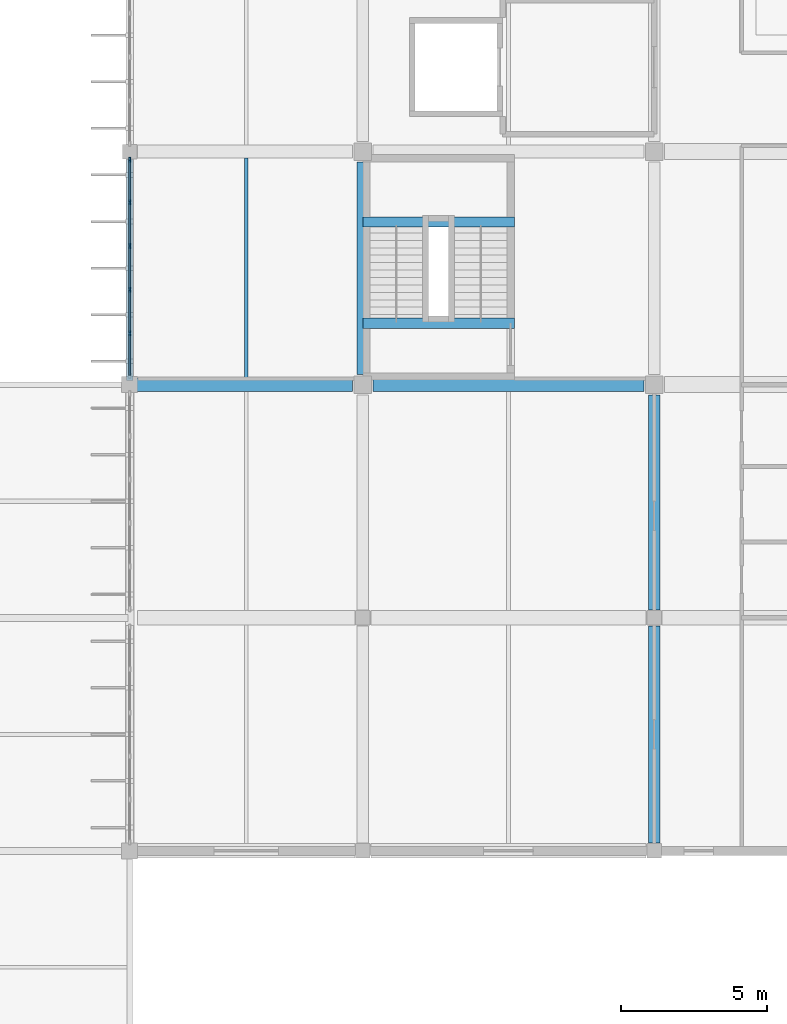
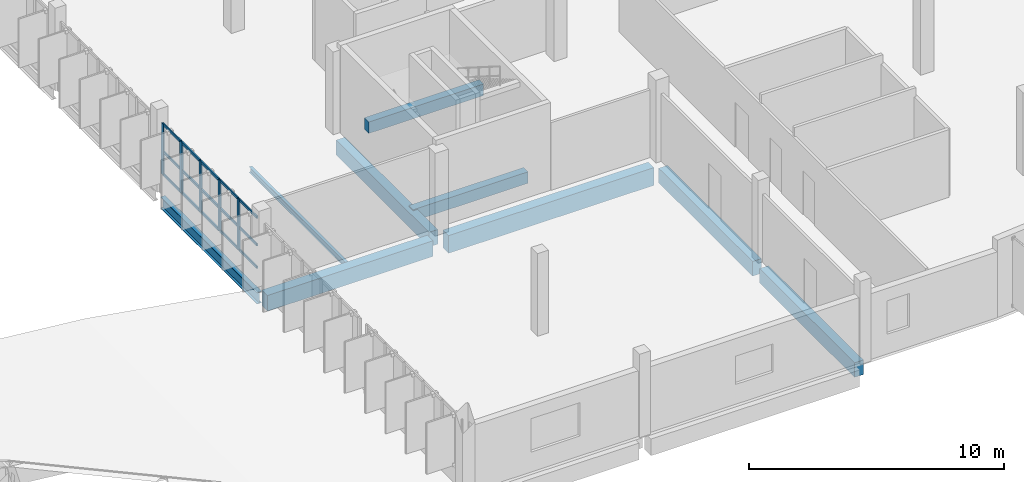
# One storey, part 27 of 66: 20 members, 9 beams, 1 element without a shape of its own.
"""IFC4 building model written with IfcOpenShell, lengths in metres."""

from ifc_helpers import new_model, si_unit, direction, frame, origin, origin_2d, place, context, subcontext, project, spatial, rectangle, i_section, extrude, material, layer, layer_set, material_profile, profile_set, type_object, element, aggregate, save


model = new_model("IFC4")

# Units and contexts
model_context = context("Model", 3, precision=1e-05, world=origin(), true_north=direction((0.0, 1.0)))
body_context = subcontext(model_context, "Body", "Model", "MODEL_VIEW")
ifc_project = project(units=[si_unit("LENGTHUNIT", "METRE"), si_unit("AREAUNIT", "SQUARE_METRE"), si_unit("VOLUMEUNIT", "CUBIC_METRE"), si_unit("PLANEANGLEUNIT", "RADIAN"), si_unit("MASSUNIT", "GRAM", prefix="KILO")], contexts=[model_context])

# Site, building, storey
site_placement = place(None, origin())
site = spatial("IfcSite", under=ifc_project, at=site_placement, CompositionType="ELEMENT")
building_placement = place(site_placement, origin())
building = spatial("IfcBuilding", under=site, at=building_placement, Name="Drelvana Railside Aquatics Centre", CompositionType="ELEMENT")
storey_placement = place(building_placement, frame((0.0, 0.0, 10.199951171875)))
storey = spatial("IfcBuildingStorey", under=building, at=storey_placement, Name="L02", CompositionType="ELEMENT", Elevation=10.199951171875)

# Curtain wall, members
ifc_material_1 = material(Name="Bronze-anodised aluminium curtain wall", Category="aluminium")
ifc_layer = layer(ifc_material_1, 0.175048828125, Name="Bronze-anodised aluminium curtain wall")
ifc_layer_set = layer_set([ifc_layer], Name="Bronze-anodised aluminium curtain wall")
curtain_wall_type = type_object("IfcCurtainWallType", Name="CW-Z6-WING", PredefinedType="NOTDEFINED", material=ifc_layer_set)
curtain_wall_placement = place(storey_placement, origin())
curtain_wall = element("IfcCurtainWall", 1, at=curtain_wall_placement, inside=storey, type_object=curtain_wall_type, Name="Curtain wall CW-06-138", PredefinedType="NOTDEFINED")
ifc_material_2 = material(Name="Bronze-anodised aluminium 6063-T6", Category="aluminium")
ifc_material_profile_1 = material_profile(ifc_material_2, rectangle(XDim=0.06494140625, YDim=0.175048828125, at=origin_2d()), Name="ALU-M 65x175")
ifc_profile_set_1 = profile_set([ifc_material_profile_1], Name="Bronze-anodised aluminium 6063-T6")
member_type_1 = type_object("IfcMemberType", Name="CW-Z6-WING-MUL", PredefinedType="MULLION", material=ifc_profile_set_1)
member_1_placement = place(storey_placement, frame((144.0, 25.766357421875, 0.7939453125), z_axis=(0.0, 0.0, 1.0), x_axis=(-1.0, 0.0, 0.0)))
member_1 = element("IfcMember", 2, at=member_1_placement, type_object=member_type_1, Name="CW-06 mullion 2", PredefinedType="MULLION", context=body_context, shape_type="SweptSolid", body=[
    extrude(rectangle(XDim=0.06494140625, YDim=0.175048828125, at=origin_2d()), origin(), (0.0, 0.0, 1.0), 2.4560546875),
])
member_2_placement = place(storey_placement, frame((144.0, 27.263916015625, 0.7939453125), z_axis=(0.0, 0.0, 1.0), x_axis=(-1.0, 0.0, 0.0)))
member_2 = element("IfcMember", 3, at=member_2_placement, type_object=member_type_1, Name="CW-06 mullion 3", PredefinedType="MULLION", context=body_context, shape_type="SweptSolid", body=[
    extrude(rectangle(XDim=0.06494140625, YDim=0.175048828125, at=origin_2d()), origin(), (0.0, 0.0, 1.0), 2.4560546875),
])
member_3_placement = place(storey_placement, frame((144.0, 28.76123046875, 0.7939453125), z_axis=(0.0, 0.0, 1.0), x_axis=(-1.0, 0.0, 0.0)))
member_3 = element("IfcMember", 4, at=member_3_placement, type_object=member_type_1, Name="CW-06 mullion 4", PredefinedType="MULLION", context=body_context, shape_type="SweptSolid", body=[
    extrude(rectangle(XDim=0.06494140625, YDim=0.175048828125, at=origin_2d()), origin(), (0.0, 0.0, 1.0), 2.4560546875),
])
member_4_placement = place(storey_placement, frame((144.0, 30.258544921875, 0.7939453125), z_axis=(0.0, 0.0, 1.0), x_axis=(-1.0, 0.0, 0.0)))
member_4 = element("IfcMember", 5, at=member_4_placement, type_object=member_type_1, Name="CW-06 mullion 5", PredefinedType="MULLION", context=body_context, shape_type="SweptSolid", body=[
    extrude(rectangle(XDim=0.06494140625, YDim=0.175048828125, at=origin_2d()), origin(), (0.0, 0.0, 1.0), 2.4560546875),
])
member_5_placement = place(storey_placement, frame((144.0, 31.723388671875, 0.7939453125), z_axis=(0.0, 0.0, 1.0), x_axis=(-1.0, 0.0, 0.0)))
member_5 = element("IfcMember", 6, at=member_5_placement, type_object=member_type_1, Name="CW-06 mullion 6", PredefinedType="MULLION", context=body_context, shape_type="SweptSolid", body=[
    extrude(rectangle(XDim=0.06494140625, YDim=0.175048828125, at=origin_2d()), origin(), (0.0, 0.0, 1.0), 2.4560546875),
])
ifc_material_profile_2 = material_profile(ifc_material_2, rectangle(XDim=0.1201171875, YDim=0.06005859375, at=origin_2d()), Name="ALU-T 60x120")
ifc_profile_set_2 = profile_set([ifc_material_profile_2], Name="Bronze-anodised aluminium 6063-T6")
member_type_2 = type_object("IfcMemberType", Name="CW-Z6-WING-TRN", PredefinedType="USERDEFINED", material=ifc_profile_set_2)
member_6_placement = place(storey_placement, frame((144.0, 24.3291015625, 0.823974609375), z_axis=(0.0, 1.0, 0.0), x_axis=(0.0, 0.0, 1.0)))
member_6 = element("IfcMember", 7, at=member_6_placement, type_object=member_type_2, Name="CW-06 transom 1.1", ObjectType="TRANSOM", PredefinedType="USERDEFINED", context=body_context, shape_type="SweptSolid", body=[
    extrude(rectangle(XDim=0.1201171875, YDim=0.06005859375, at=origin_2d()), origin(), (0.0, 0.0, 1.0), 1.409912109375),
])
member_7_placement = place(storey_placement, frame((144.0, 24.3291015625, 1.899169921875), z_axis=(0.0, 1.0, 0.0), x_axis=(0.0, 0.0, 1.0)))
member_7 = element("IfcMember", 8, at=member_7_placement, type_object=member_type_2, Name="CW-06 transom 1.2", ObjectType="TRANSOM", PredefinedType="USERDEFINED", context=body_context, shape_type="SweptSolid", body=[
    extrude(rectangle(XDim=0.1201171875, YDim=0.06005859375, at=origin_2d()), origin(), (0.0, 0.0, 1.0), 1.409912109375),
])
member_8_placement = place(storey_placement, frame((144.0, 24.3291015625, 3.219970703125), z_axis=(0.0, 1.0, 0.0), x_axis=(0.0, 0.0, 1.0)))
member_8 = element("IfcMember", 9, at=member_8_placement, type_object=member_type_2, Name="CW-06 transom 1.3", ObjectType="TRANSOM", PredefinedType="USERDEFINED", context=body_context, shape_type="SweptSolid", body=[
    extrude(rectangle(XDim=0.1201171875, YDim=0.06005859375, at=origin_2d()), origin(), (0.0, 0.0, 1.0), 1.409912109375),
])
member_9_placement = place(storey_placement, frame((144.0, 25.7939453125, 0.823974609375), z_axis=(0.0, 1.0, 0.0), x_axis=(0.0, 0.0, 1.0)))
member_9 = element("IfcMember", 10, at=member_9_placement, type_object=member_type_2, Name="CW-06 transom 2.1", ObjectType="TRANSOM", PredefinedType="USERDEFINED", context=body_context, shape_type="SweptSolid", body=[
    extrude(rectangle(XDim=0.1201171875, YDim=0.06005859375, at=origin_2d()), origin(), (0.0, 0.0, 1.0), 1.4423828125),
])
member_10_placement = place(storey_placement, frame((144.0, 25.7939453125, 1.899169921875), z_axis=(0.0, 1.0, 0.0), x_axis=(0.0, 0.0, 1.0)))
member_10 = element("IfcMember", 11, at=member_10_placement, type_object=member_type_2, Name="CW-06 transom 2.2", ObjectType="TRANSOM", PredefinedType="USERDEFINED", context=body_context, shape_type="SweptSolid", body=[
    extrude(rectangle(XDim=0.1201171875, YDim=0.06005859375, at=origin_2d()), origin(), (0.0, 0.0, 1.0), 1.4423828125),
])
member_11_placement = place(storey_placement, frame((144.0, 25.7939453125, 3.219970703125), z_axis=(0.0, 1.0, 0.0), x_axis=(0.0, 0.0, 1.0)))
member_11 = element("IfcMember", 12, at=member_11_placement, type_object=member_type_2, Name="CW-06 transom 2.3", ObjectType="TRANSOM", PredefinedType="USERDEFINED", context=body_context, shape_type="SweptSolid", body=[
    extrude(rectangle(XDim=0.1201171875, YDim=0.06005859375, at=origin_2d()), origin(), (0.0, 0.0, 1.0), 1.4423828125),
])
member_12_placement = place(storey_placement, frame((144.0, 27.291259765625, 0.823974609375), z_axis=(0.0, 1.0, 0.0), x_axis=(0.0, 0.0, 1.0)))
member_12 = element("IfcMember", 13, at=member_12_placement, type_object=member_type_2, Name="CW-06 transom 3.1", ObjectType="TRANSOM", PredefinedType="USERDEFINED", context=body_context, shape_type="SweptSolid", body=[
    extrude(rectangle(XDim=0.1201171875, YDim=0.06005859375, at=origin_2d()), origin(), (0.0, 0.0, 1.0), 1.4423828125),
])
member_13_placement = place(storey_placement, frame((144.0, 27.291259765625, 1.899169921875), z_axis=(0.0, 1.0, 0.0), x_axis=(0.0, 0.0, 1.0)))
member_13 = element("IfcMember", 14, at=member_13_placement, type_object=member_type_2, Name="CW-06 transom 3.2", ObjectType="TRANSOM", PredefinedType="USERDEFINED", context=body_context, shape_type="SweptSolid", body=[
    extrude(rectangle(XDim=0.1201171875, YDim=0.06005859375, at=origin_2d()), origin(), (0.0, 0.0, 1.0), 1.4423828125),
])
member_14_placement = place(storey_placement, frame((144.0, 27.291259765625, 3.219970703125), z_axis=(0.0, 1.0, 0.0), x_axis=(0.0, 0.0, 1.0)))
member_14 = element("IfcMember", 15, at=member_14_placement, type_object=member_type_2, Name="CW-06 transom 3.3", ObjectType="TRANSOM", PredefinedType="USERDEFINED", context=body_context, shape_type="SweptSolid", body=[
    extrude(rectangle(XDim=0.1201171875, YDim=0.06005859375, at=origin_2d()), origin(), (0.0, 0.0, 1.0), 1.4423828125),
])
member_15_placement = place(storey_placement, frame((144.0, 28.788818359375, 0.823974609375), z_axis=(0.0, 1.0, 0.0), x_axis=(0.0, 0.0, 1.0)))
member_15 = element("IfcMember", 16, at=member_15_placement, type_object=member_type_2, Name="CW-06 transom 4.1", ObjectType="TRANSOM", PredefinedType="USERDEFINED", context=body_context, shape_type="SweptSolid", body=[
    extrude(rectangle(XDim=0.1201171875, YDim=0.06005859375, at=origin_2d()), origin(), (0.0, 0.0, 1.0), 1.4423828125),
])
member_16_placement = place(storey_placement, frame((144.0, 28.788818359375, 1.899169921875), z_axis=(0.0, 1.0, 0.0), x_axis=(0.0, 0.0, 1.0)))
member_16 = element("IfcMember", 17, at=member_16_placement, type_object=member_type_2, Name="CW-06 transom 4.2", ObjectType="TRANSOM", PredefinedType="USERDEFINED", context=body_context, shape_type="SweptSolid", body=[
    extrude(rectangle(XDim=0.1201171875, YDim=0.06005859375, at=origin_2d()), origin(), (0.0, 0.0, 1.0), 1.4423828125),
])
member_17_placement = place(storey_placement, frame((144.0, 28.788818359375, 3.219970703125), z_axis=(0.0, 1.0, 0.0), x_axis=(0.0, 0.0, 1.0)))
member_17 = element("IfcMember", 18, at=member_17_placement, type_object=member_type_2, Name="CW-06 transom 4.3", ObjectType="TRANSOM", PredefinedType="USERDEFINED", context=body_context, shape_type="SweptSolid", body=[
    extrude(rectangle(XDim=0.1201171875, YDim=0.06005859375, at=origin_2d()), origin(), (0.0, 0.0, 1.0), 1.4423828125),
])
member_18_placement = place(storey_placement, frame((144.0, 30.2861328125, 0.823974609375), z_axis=(0.0, 1.0, 0.0), x_axis=(0.0, 0.0, 1.0)))
member_18 = element("IfcMember", 19, at=member_18_placement, type_object=member_type_2, Name="CW-06 transom 5.1", ObjectType="TRANSOM", PredefinedType="USERDEFINED", context=body_context, shape_type="SweptSolid", body=[
    extrude(rectangle(XDim=0.1201171875, YDim=0.06005859375, at=origin_2d()), origin(), (0.0, 0.0, 1.0), 1.409912109375),
])
member_19_placement = place(storey_placement, frame((144.0, 30.2861328125, 1.899169921875), z_axis=(0.0, 1.0, 0.0), x_axis=(0.0, 0.0, 1.0)))
member_19 = element("IfcMember", 20, at=member_19_placement, type_object=member_type_2, Name="CW-06 transom 5.2", ObjectType="TRANSOM", PredefinedType="USERDEFINED", context=body_context, shape_type="SweptSolid", body=[
    extrude(rectangle(XDim=0.1201171875, YDim=0.06005859375, at=origin_2d()), origin(), (0.0, 0.0, 1.0), 1.409912109375),
])
member_20_placement = place(storey_placement, frame((144.0, 30.2861328125, 3.219970703125), z_axis=(0.0, 1.0, 0.0), x_axis=(0.0, 0.0, 1.0)))
member_20 = element("IfcMember", 21, at=member_20_placement, type_object=member_type_2, Name="CW-06 transom 5.3", ObjectType="TRANSOM", PredefinedType="USERDEFINED", context=body_context, shape_type="SweptSolid", body=[
    extrude(rectangle(XDim=0.1201171875, YDim=0.06005859375, at=origin_2d()), origin(), (0.0, 0.0, 1.0), 1.409912109375),
])
aggregate(curtain_wall, [member_1, member_2, member_3, member_4, member_5, member_6, member_7, member_8, member_9, member_10, member_11, member_12, member_13, member_14, member_15, member_16, member_17, member_18, member_19, member_20])

# Beams
ifc_material_3 = material(Name="Concrete C40/50", Category="concrete")
ifc_material_profile_3 = material_profile(ifc_material_3, rectangle(XDim=0.35009765625, YDim=0.550048828125, at=origin_2d()), Name="RC 350x550")
ifc_profile_set_3 = profile_set([ifc_material_profile_3], Name="Concrete C40/50")
beam_type_1 = type_object("IfcBeamType", Name="STR-BM-BM-01-RC-350x550", PredefinedType="BEAM", material=ifc_profile_set_3)
for number, where, z_axis, x_axis, name in (
    (22, (152.0, 26.110107421875, -0.474853515625), (1.0, 0.0, 0.0), (0.0, 1.0, 0.0), "Stair ST-06 L02 landing beam"),
    (23, (152.0, 29.5849609375, 1.625), (1.0, 0.0, 0.0), (0.0, 1.0, 0.0), "Stair ST-06 L02 mid-landing beam"),
):
    element("IfcBeam", number, at=place(storey_placement, frame(where, z_axis=z_axis, x_axis=x_axis)), inside=storey, type_object=beam_type_1, Name=name, PredefinedType="BEAM", context=body_context, shape_type="SweptSolid", body=[
        extrude(rectangle(XDim=0.35009765625, YDim=0.550048828125, at=origin_2d()), origin(), (0.0, 0.0, 1.0), 5.199951171875),
    ])
ifc_material_profile_4 = material_profile(ifc_material_3, rectangle(XDim=0.39990234375, YDim=0.699951171875, at=origin_2d()), Name="RC 400x700")
ifc_profile_set_4 = profile_set([ifc_material_profile_4], Name="Concrete C40/50")
beam_type_2 = type_object("IfcBeamType", Name="STR-BM-BM-03-RC-400x700", PredefinedType="BEAM", material=ifc_profile_set_4)
beam_1_placement = place(storey_placement, frame((152.0, 24.35009765625, -0.599853515625), z_axis=(0.0, 1.0, 0.0), x_axis=(-1.0, 0.0, 0.0)))
element("IfcBeam", 24, at=beam_1_placement, inside=storey, type_object=beam_type_2, Name="Girder BM-03 (L02)", PredefinedType="BEAM", context=body_context, shape_type="SweptSolid", body=[
    extrude(rectangle(XDim=0.39990234375, YDim=0.699951171875, at=origin_2d()), origin(), (0.0, 0.0, 1.0), 7.2998046875),
])
beam_2_placement = place(storey_placement, frame((162.0, 8.27490234375, -0.599853515625), z_axis=(0.0, 1.0, 0.0), x_axis=(-1.0, 0.0, 0.0)))
element("IfcBeam", 25, at=beam_2_placement, inside=storey, type_object=beam_type_2, Name="Girder BM-03 (L02)", PredefinedType="BEAM", context=body_context, shape_type="SweptSolid", body=[
    extrude(rectangle(XDim=0.39990234375, YDim=0.699951171875, at=origin_2d()), origin(), (0.0, 0.0, 1.0), 7.4501953125),
])
beam_3_placement = place(storey_placement, frame((162.0, 16.27490234375, -0.599853515625), z_axis=(0.0, 1.0, 0.0), x_axis=(-1.0, 0.0, 0.0)))
element("IfcBeam", 26, at=beam_3_placement, inside=storey, type_object=beam_type_2, Name="Girder BM-03 (L02)", PredefinedType="BEAM", context=body_context, shape_type="SweptSolid", body=[
    extrude(rectangle(XDim=0.39990234375, YDim=0.699951171875, at=origin_2d()), origin(), (0.0, 0.0, 1.0), 7.375),
])
ifc_material_profile_5 = material_profile(ifc_material_3, rectangle(XDim=0.449951171875, YDim=0.75, at=origin_2d()), Name="RC 450x750")
ifc_profile_set_5 = profile_set([ifc_material_profile_5], Name="Concrete C40/50")
beam_type_3 = type_object("IfcBeamType", Name="STR-BM-BM-04-RC-450x750", PredefinedType="BEAM", material=ifc_profile_set_5)
beam_4_placement = place(storey_placement, frame((144.14990234375, 24.0, -0.625), z_axis=(1.0, 0.0, 0.0), x_axis=(0.0, 1.0, 0.0)))
element("IfcBeam", 27, at=beam_4_placement, inside=storey, type_object=beam_type_3, Name="Girder BM-04 (L02)", PredefinedType="BEAM", context=body_context, shape_type="SweptSolid", body=[
    extrude(rectangle(XDim=0.449951171875, YDim=0.75, at=origin_2d()), origin(), (0.0, 0.0, 1.0), 7.5),
])
ifc_material_profile_6 = material_profile(ifc_material_3, rectangle(XDim=0.449951171875, YDim=0.85009765625, at=origin_2d()), Name="RC 450x850")
ifc_profile_set_6 = profile_set([ifc_material_profile_6], Name="Concrete C40/50")
beam_type_4 = type_object("IfcBeamType", Name="STR-BM-BM-05-RC-450x850", PredefinedType="BEAM", material=ifc_profile_set_6)
beam_5_placement = place(storey_placement, frame((152.35009765625, 24.0, -0.675048828125), z_axis=(1.0, 0.0, 0.0), x_axis=(0.0, 1.0, 0.0)))
element("IfcBeam", 28, at=beam_5_placement, inside=storey, type_object=beam_type_4, Name="Girder BM-05 (L02)", PredefinedType="BEAM", context=body_context, shape_type="SweptSolid", body=[
    extrude(rectangle(XDim=0.449951171875, YDim=0.85009765625, at=origin_2d()), origin(), (0.0, 0.0, 1.0), 9.2998046875),
])
ifc_material_4 = material(Name="Structural steel S355", Category="steel")
ifc_material_profile_7 = material_profile(ifc_material_4, i_section(OverallWidth=0.2099609375, OverallDepth=0.550048828125, WebThickness=0.010986328125, FlangeThickness=0.01708984375, at=origin_2d()), Name="IPE 550")
ifc_profile_set_7 = profile_set([ifc_material_profile_7], Name="Structural steel S355")
beam_type_5 = type_object("IfcBeamType", Name="STR-SBM-SB-04-IPE-550", PredefinedType="SPANDREL", material=ifc_profile_set_7)
beam_6_placement = place(storey_placement, frame((144.0, 24.14990234375, -0.52490234375), z_axis=(0.0, 1.0, 0.0), x_axis=(-1.0, 0.0, 0.0)))
element("IfcBeam", 29, at=beam_6_placement, inside=storey, type_object=beam_type_5, Name="Girder SB-04 (L02)", PredefinedType="SPANDREL", context=body_context, shape_type="SweptSolid", body=[
    extrude(i_section(OverallWidth=0.2099609375, OverallDepth=0.550048828125, WebThickness=0.010986328125, FlangeThickness=0.01708984375, at=origin_2d()), origin(), (0.0, 0.0, 1.0), 7.5751953125),
])
ifc_material_profile_8 = material_profile(ifc_material_4, i_section(OverallWidth=0.135009765625, OverallDepth=0.27001953125, WebThickness=0.006591796875, FlangeThickness=0.01025390625, at=origin_2d()), Name="IPE 270")
ifc_profile_set_8 = profile_set([ifc_material_profile_8], Name="Structural steel S355")
beam_type_6 = type_object("IfcBeamType", Name="STR-SBM-SJ-02-IPE-270", PredefinedType="JOIST", material=ifc_profile_set_8)
beam_7_placement = place(storey_placement, frame((148.0, 24.22509765625, -0.385009765625), z_axis=(0.0, 1.0, 0.0), x_axis=(-1.0, 0.0, 0.0)))
element("IfcBeam", 30, at=beam_7_placement, inside=storey, type_object=beam_type_6, Name="Secondary floor joist SJ-02 (L02)", PredefinedType="JOIST", context=body_context, shape_type="SweptSolid", body=[
    extrude(i_section(OverallWidth=0.135009765625, OverallDepth=0.27001953125, WebThickness=0.006591796875, FlangeThickness=0.01025390625, at=origin_2d()), origin(), (0.0, 0.0, 1.0), 7.5498046875),
])

save(model, "model.ifc")
